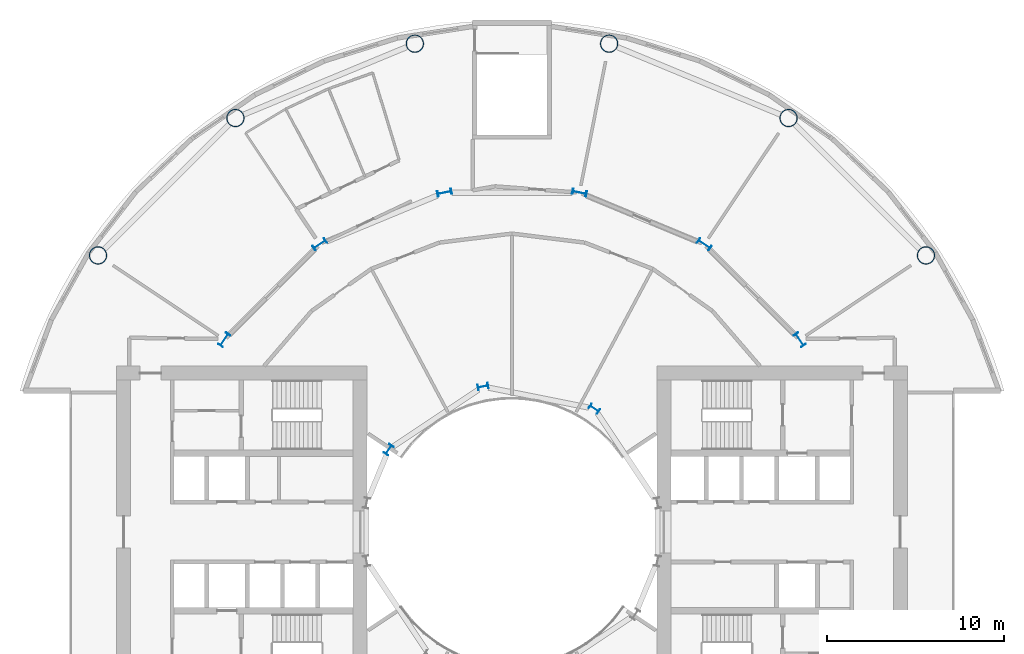
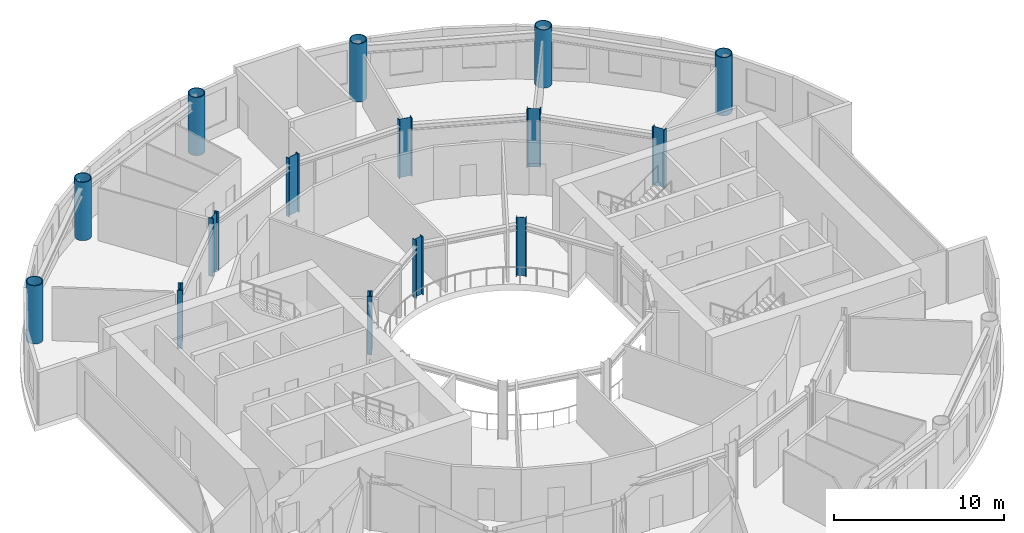
# One storey, part 2 of 13: 15 columns.
"""IFC4 building model written with IfcOpenShell, lengths in metres."""

from ifc_helpers import new_model, si_unit, direction, frame, origin, origin_2d, place, context, subcontext, project, spatial, hollow_circle, i_section, extrude, material, material_profile, profile_set, type_object, element, save


model = new_model("IFC4")

# Units and contexts
model_context = context("Model", 3, precision=1e-05, world=origin(), true_north=direction((0.0, 1.0)))
body_context = subcontext(model_context, "Body", "Model", "MODEL_VIEW")
ifc_project = project(units=[si_unit("LENGTHUNIT", "METRE"), si_unit("AREAUNIT", "SQUARE_METRE"), si_unit("VOLUMEUNIT", "CUBIC_METRE"), si_unit("PLANEANGLEUNIT", "RADIAN"), si_unit("MASSUNIT", "GRAM", prefix="KILO")], contexts=[model_context])

# Site, building, storey
site_placement = place(None, origin())
site = spatial("IfcSite", under=ifc_project, at=site_placement, CompositionType="ELEMENT")
building_placement = place(site_placement, origin())
building = spatial("IfcBuilding", under=site, at=building_placement, Name="Maasbend Ring Residences", CompositionType="ELEMENT")
storey_placement = place(building_placement, frame((0.0, 0.0, 14.10009765625)))
storey = spatial("IfcBuildingStorey", under=building, at=storey_placement, Name="L03", CompositionType="ELEMENT", Elevation=14.10009765625)

# Columns
ifc_material_1 = material(Name="Composite concrete-filled steel tube S460NH / C80/95", Category="concrete")
ifc_material_profile_1 = material_profile(ifc_material_1, hollow_circle(Radius=0.508056640625, WallThickness=0.050048828125, at=origin_2d()), Name="Composite tube column CHS 1016x50")
ifc_profile_set_1 = profile_set([ifc_material_profile_1], Name="Composite concrete-filled steel tube S460NH / C80/95")
column_type_1 = type_object("IfcColumnType", Name="Composite tube column CHS 1016x50", PredefinedType="COLUMN", material=ifc_profile_set_1)
for number, where, z_axis, x_axis, name in (
    (1, (23.447509765625, 15.6669921875, 0.0), (0.0, 0.0, 1.0), (1.0, 0.0, 0.0), "Outer column R2"),
    (2, (15.6669921875, 23.447509765625, 0.0), (0.0, 0.0, 1.0), (1.0, 0.0, 0.0), "Outer column R3"),
    (3, (5.50146484375, 27.658203125, 0.0), (0.0, 0.0, 1.0), (1.0, 0.0, 0.0), "Outer column R4"),
    (4, (-5.50146484375, 27.658203125, 0.0), (0.0, 0.0, 1.0), (1.0, 0.0, 0.0), "Outer column R5"),
    (5, (-15.6669921875, 23.447509765625, 0.0), (0.0, 0.0, 1.0), (1.0, 0.0, 0.0), "Outer column R6"),
    (6, (-23.447509765625, 15.6669921875, 0.0), (0.0, 0.0, 1.0), (1.0, 0.0, 0.0), "Outer column R7"),
):
    element("IfcColumn", number, at=place(storey_placement, frame(where, z_axis=z_axis, x_axis=x_axis)), inside=storey, type_object=column_type_1, Name=name, PredefinedType="COLUMN", context=body_context, shape_type="SweptSolid", body=[
        extrude(hollow_circle(Radius=0.508056640625, WallThickness=0.050048828125, at=origin_2d()), origin(), (0.0, 0.0, 1.0), 4.199951171875),
    ])
ifc_material_2 = material(Name="Steel S460M", Category="steel")
ifc_material_profile_2 = material_profile(ifc_material_2, i_section(OverallWidth=0.300048828125, OverallDepth=0.60009765625, WebThickness=0.015380859375, FlangeThickness=0.030029296875, FilletRadius=0.027099609375, at=origin_2d()), Name="HEB 600")
ifc_profile_set_2 = profile_set([ifc_material_profile_2], Name="Steel S460M")
column_type_2 = type_object("IfcColumnType", Name="Steel column HEB 600", PredefinedType="COLUMN", material=ifc_profile_set_2)
for number, where, z_axis, x_axis, name in (
    (7, (4.666748046875, 6.984375, 0.0), (0.0, 0.0, 1.0), (0.55557023302, 0.831469612303, 0.0), "Well ring column R3"),
    (8, (-1.638916015625, 8.238525390625, 0.0), (0.0, 0.0, 1.0), (-0.195090322016, 0.980785280403, 0.0), "Well ring column R5"),
    (9, (-6.984375, 4.666748046875, 0.0), (0.0, 0.0, 1.0), (-0.831469612303, 0.55557023302, 0.0), "Well ring column R7"),
):
    element("IfcColumn", number, at=place(storey_placement, frame(where, z_axis=z_axis, x_axis=x_axis)), inside=storey, type_object=column_type_2, Name=name, PredefinedType="COLUMN", context=body_context, shape_type="SweptSolid", body=[
        extrude(i_section(OverallWidth=0.300048828125, OverallDepth=0.60009765625, WebThickness=0.015380859375, FlangeThickness=0.030029296875, FilletRadius=0.027099609375, at=origin_2d()), origin(), (0.0, 0.0, 1.0), 4.199951171875),
    ])
ifc_material_3 = material(Name="Steel S460M", Category="steel")
ifc_material_profile_3 = material_profile(ifc_material_3, i_section(OverallWidth=0.302978515625, OverallDepth=0.81396484375, WebThickness=0.02099609375, FlangeThickness=0.0400390625, FilletRadius=0.030029296875, at=origin_2d()), Name="HEM 800")
ifc_profile_set_3 = profile_set([ifc_material_profile_3], Name="Steel S460M")
column_type_3 = type_object("IfcColumnType", Name="Steel column HEM 800", PredefinedType="COLUMN", material=ifc_profile_set_3)
for number, where, z_axis, x_axis, name in (
    (10, (16.296875, 10.88916015625, 0.0), (0.0, 0.0, 1.0), (0.831469612303, 0.55557023302, 0.0), "Corridor ring column R2"),
    (11, (10.88916015625, 16.296875, 0.0), (0.0, 0.0, 1.0), (0.55557023302, 0.831469612303, 0.0), "Corridor ring column R3"),
    (12, (3.82373046875, 19.223388671875, 0.0), (0.0, 0.0, 1.0), (0.195090322016, 0.980785280403, 0.0), "Corridor ring column R4"),
    (13, (-3.82373046875, 19.223388671875, 0.0), (0.0, 0.0, 1.0), (-0.195090322016, 0.980785280403, 0.0), "Corridor ring column R5"),
    (14, (-10.88916015625, 16.296875, 0.0), (0.0, 0.0, 1.0), (-0.55557023302, 0.831469612303, 0.0), "Corridor ring column R6"),
    (15, (-16.296875, 10.88916015625, 0.0), (0.0, 0.0, 1.0), (-0.831469612303, 0.55557023302, 0.0), "Corridor ring column R7"),
):
    element("IfcColumn", number, at=place(storey_placement, frame(where, z_axis=z_axis, x_axis=x_axis)), inside=storey, type_object=column_type_3, Name=name, PredefinedType="COLUMN", context=body_context, shape_type="SweptSolid", body=[
        extrude(i_section(OverallWidth=0.302978515625, OverallDepth=0.81396484375, WebThickness=0.02099609375, FlangeThickness=0.0400390625, FilletRadius=0.030029296875, at=origin_2d()), origin(), (0.0, 0.0, 1.0), 4.199951171875),
    ])

save(model, "model.ifc")
